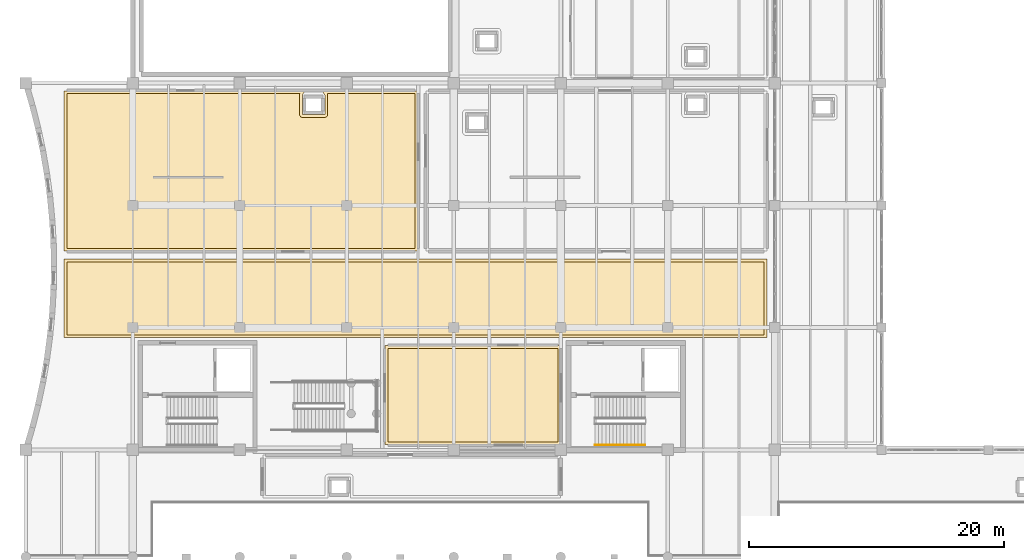
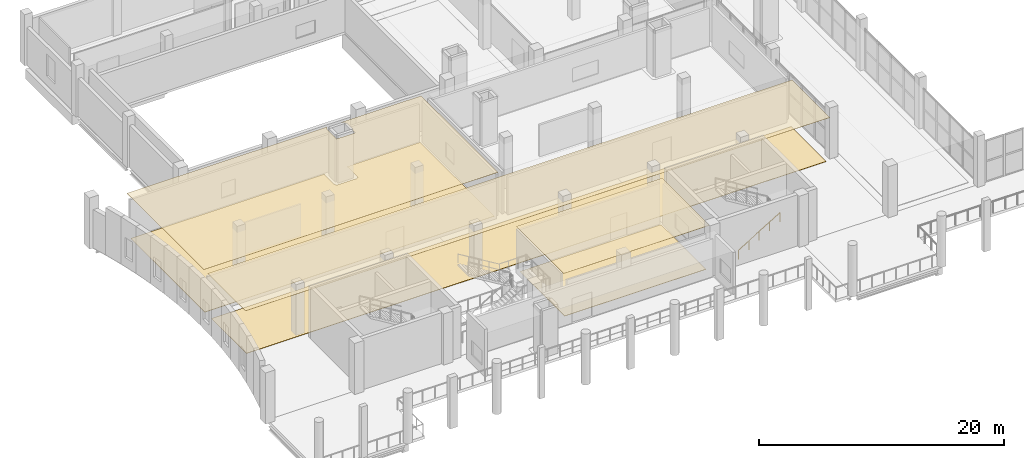
# One storey, part 57 of 66: 6 coverings, 1 railing.
"""IFC4 building model written with IfcOpenShell, lengths in metres."""

from ifc_helpers import new_model, si_unit, direction, frame, origin, origin_2d, place, context, subcontext, project, spatial, polyline, circle, outline, extrude, material, layer, layer_set, type_object, element, save


model = new_model("IFC4")

# Units and contexts
model_context = context("Model", 3, precision=1e-05, world=origin(), true_north=direction((0.0, 1.0)))
body_context = subcontext(model_context, "Body", "Model", "MODEL_VIEW")
ifc_project = project(units=[si_unit("LENGTHUNIT", "METRE"), si_unit("AREAUNIT", "SQUARE_METRE"), si_unit("VOLUMEUNIT", "CUBIC_METRE"), si_unit("PLANEANGLEUNIT", "RADIAN"), si_unit("MASSUNIT", "GRAM", prefix="KILO")], contexts=[model_context])

# Site, building, storey
site_placement = place(None, origin())
site = spatial("IfcSite", under=ifc_project, at=site_placement, CompositionType="ELEMENT")
building_placement = place(site_placement, origin())
building = spatial("IfcBuilding", under=site, at=building_placement, Name="Zulmaris Art Gallery", CompositionType="ELEMENT")
storey_placement = place(building_placement, frame((0.0, 0.0, 5.39990234375)))
storey = spatial("IfcBuildingStorey", under=building, at=storey_placement, Name="L01", CompositionType="ELEMENT", Elevation=5.39990234375)

# Coverings
ifc_material_1 = material(Name="Micro-Perforated Gypsum Acoustic Ceiling", Category="gypsum")
ifc_layer_1 = layer(ifc_material_1, 0.02490234375)
ifc_layer_set_1 = layer_set([ifc_layer_1], Name="Micro-Perforated Gypsum Acoustic Ceiling")
covering_type_1 = type_object("IfcCoveringType", Name="COV-CL01", PredefinedType="CEILING", material=ifc_layer_set_1)
covering_1_placement = place(storey_placement, frame((0.0, 0.0, 4.4501953125)))
element("IfcCovering", 1, at=covering_1_placement, inside=storey, type_object=covering_type_1, Name="Upper Foyer Gallery Concourse acoustic ceiling", PredefinedType="CEILING", context=body_context, shape_type="SweptSolid", body=[
    extrude(outline(polyline([(27.010009765625, 36.590087890625), (82.18994140625, 36.590087890625), (82.18994140625, 30.409912109375), (27.010009765625, 30.409912109375), (27.010009765625, 36.590087890625)])), origin(), (0.0, 0.0, 1.0), 0.02978515625),
])
ifc_material_2 = material(Name="Luminous UV-Diffusing Stretched Gallery Ceiling", Category="gypsum")
ifc_layer_2 = layer(ifc_material_2, 0.034912109375)
ifc_layer_set_2 = layer_set([ifc_layer_2], Name="Luminous UV-Diffusing Stretched Gallery Ceiling")
covering_type_2 = type_object("IfcCoveringType", Name="COV-CL02", PredefinedType="CEILING", material=ifc_layer_set_2)
covering_2_placement = place(storey_placement, frame((0.0, 0.0, 4.4501953125)))
element("IfcCovering", 2, at=covering_2_placement, inside=storey, type_object=covering_type_2, Name="Modern Gulf Painting Gallery acoustic ceiling", PredefinedType="CEILING", context=body_context, shape_type="SweptSolid", body=[
    extrude(outline(polyline([(52.2099609375, 29.7900390625), (65.989990234375, 29.7900390625), (65.989990234375, 22.010009765625), (52.2099609375, 22.010009765625), (52.2099609375, 29.7900390625)])), origin(), (0.0, 0.0, 1.0), 0.02978515625),
])
covering_3_placement = place(storey_placement, frame((0.0, 0.0, 4.4501953125)))
element("IfcCovering", 3, at=covering_3_placement, inside=storey, type_object=covering_type_2, Name="Calligraphy & Manuscript Gallery acoustic ceiling", PredefinedType="CEILING", context=body_context, shape_type="SweptSolid", body=[
    extrude(outline(polyline([(45.721435546875, 47.94140625), (45.722412109375, 47.938720703125), (45.723876953125, 47.93603515625), (45.725341796875, 47.93359375), (45.72705078125, 47.93115234375), (45.72900390625, 47.928955078125), (45.731201171875, 47.927001953125), (45.7333984375, 47.92529296875), (45.736083984375, 47.923828125), (45.738525390625, 47.922607421875), (45.741455078125, 47.92138671875), (45.744140625, 47.9208984375), (45.7470703125, 47.92041015625), (45.75537109375, 47.919921875), (47.444580078125, 47.919921875), (47.452880859375, 47.92041015625), (47.455810546875, 47.9208984375), (47.45849609375, 47.92138671875), (47.46142578125, 47.922607421875), (47.464111328125, 47.923828125), (47.466552734375, 47.92529296875), (47.468994140625, 47.927001953125), (47.470947265625, 47.928955078125), (47.472900390625, 47.93115234375), (47.474609375, 47.93359375), (47.476318359375, 47.93603515625), (47.4775390625, 47.938720703125), (47.478515625, 47.94140625), (47.479248046875, 47.944091796875), (47.4794921875, 47.947021484375), (47.47998046875, 47.955322265625), (47.47998046875, 49.444580078125), (47.4794921875, 49.452880859375), (47.479248046875, 49.455810546875), (47.478515625, 49.45849609375), (47.4775390625, 49.46142578125), (47.476318359375, 49.464111328125), (47.28076171875, 49.7900390625), (54.7900390625, 49.7900390625), (54.7900390625, 37.2099609375), (27.010009765625, 37.2099609375), (27.010009765625, 49.7900390625), (45.919189453125, 49.7900390625), (45.723876953125, 49.464111328125), (45.722412109375, 49.46142578125), (45.721435546875, 49.45849609375), (45.720703125, 49.455810546875), (45.720458984375, 49.452880859375), (45.719970703125, 49.444580078125), (45.719970703125, 47.955322265625), (45.720458984375, 47.947021484375), (45.720703125, 47.944091796875), (45.721435546875, 47.94140625)])), origin(), (0.0, 0.0, 1.0), 0.02978515625),
])
ifc_material_3 = material(Name="Honed Omani Limestone Terrazzo Flooring", Category="masonry")
ifc_layer_3 = layer(ifc_material_3, 0.0400390625)
ifc_layer_set_3 = layer_set([ifc_layer_3], Name="Honed Omani Limestone Terrazzo Flooring")
covering_type_3 = type_object("IfcCoveringType", Name="COV-FL01", PredefinedType="FLOORING", material=ifc_layer_set_3)
covering_4_placement = place(storey_placement, origin())
element("IfcCovering", 4, at=covering_4_placement, inside=storey, type_object=covering_type_3, Name="Upper Foyer Gallery Concourse finish flooring", PredefinedType="FLOORING", context=body_context, shape_type="SweptSolid", body=[
    extrude(outline(polyline([(81.969970703125, 30.6298828125), (27.22998046875, 30.6298828125), (27.22998046875, 36.3701171875), (81.969970703125, 36.3701171875), (81.969970703125, 30.6298828125)])), origin(), (0.0, 0.0, 1.0), 0.03515625),
])
ifc_material_4 = material(Name="Oiled European Oak Gallery Parquet Flooring", Category="timber")
ifc_layer_4 = layer(ifc_material_4, 0.030029296875)
ifc_layer_set_4 = layer_set([ifc_layer_4], Name="Oiled European Oak Gallery Parquet Flooring")
covering_type_4 = type_object("IfcCoveringType", Name="COV-FL02", PredefinedType="FLOORING", material=ifc_layer_set_4)
covering_5_placement = place(storey_placement, origin())
element("IfcCovering", 5, at=covering_5_placement, inside=storey, type_object=covering_type_4, Name="Modern Gulf Painting Gallery finish flooring", PredefinedType="FLOORING", context=body_context, shape_type="SweptSolid", body=[
    extrude(outline(polyline([(65.77001953125, 22.22998046875), (52.429931640625, 22.22998046875), (52.429931640625, 29.570068359375), (65.77001953125, 29.570068359375), (65.77001953125, 22.22998046875)])), origin(), (0.0, 0.0, 1.0), 0.03515625),
])
covering_6_placement = place(storey_placement, origin())
element("IfcCovering", 6, at=covering_6_placement, inside=storey, type_object=covering_type_4, Name="Calligraphy & Manuscript Gallery finish flooring", PredefinedType="FLOORING", context=body_context, shape_type="SweptSolid", body=[
    extrude(outline(polyline([(45.501220703125, 47.925537109375), (45.5048828125, 47.901123046875), (45.5107421875, 47.87744140625), (45.51904296875, 47.854248046875), (45.529541015625, 47.832275390625), (45.5419921875, 47.81103515625), (45.556640625, 47.79150390625), (45.5732421875, 47.773193359375), (45.59130859375, 47.756591796875), (45.611083984375, 47.7421875), (45.632080078125, 47.7294921875), (45.654296875, 47.718994140625), (45.677490234375, 47.710693359375), (45.701171875, 47.704833984375), (45.7255859375, 47.701171875), (45.75, 47.699951171875), (47.449951171875, 47.699951171875), (47.474609375, 47.701171875), (47.498779296875, 47.704833984375), (47.522705078125, 47.710693359375), (47.545654296875, 47.718994140625), (47.56787109375, 47.7294921875), (47.5888671875, 47.7421875), (47.608642578125, 47.756591796875), (47.626708984375, 47.773193359375), (47.643310546875, 47.79150390625), (47.657958984375, 47.81103515625), (47.67041015625, 47.832275390625), (47.680908203125, 47.854248046875), (47.689208984375, 47.87744140625), (47.6953125, 47.901123046875), (47.69873046875, 47.925537109375), (47.699951171875, 47.949951171875), (47.699951171875, 49.449951171875), (47.69873046875, 49.474609375), (47.6953125, 49.498779296875), (47.689208984375, 49.522705078125), (47.680908203125, 49.545654296875), (47.67041015625, 49.56787109375), (47.669189453125, 49.570068359375), (54.570068359375, 49.570068359375), (54.570068359375, 37.429931640625), (27.22998046875, 37.429931640625), (27.22998046875, 49.570068359375), (45.53076171875, 49.570068359375), (45.529541015625, 49.56787109375), (45.51904296875, 49.545654296875), (45.5107421875, 49.522705078125), (45.5048828125, 49.498779296875), (45.501220703125, 49.474609375), (45.5, 49.449951171875), (45.5, 47.949951171875), (45.501220703125, 47.925537109375)])), origin(), (0.0, 0.0, 1.0), 0.03515625),
])

# Railing
ifc_material_5 = material(Name="Brushed Bronze Handrail", Category="steel")
ifc_layer_5 = layer(ifc_material_5, 0.048095703125)
ifc_layer_set_5 = layer_set([ifc_layer_5], Name="Brushed Bronze Handrail")
railing_type = type_object("IfcRailingType", Name="RAIL-STHND", PredefinedType="HANDRAIL", material=ifc_layer_set_5)
railing_placement = place(storey_placement, frame((68.699951171875, 22.0, 0.170166015625)))
element("IfcRailing", 7, at=railing_placement, inside=storey, type_object=railing_type, Name="L01 ST2 stair handrail 1", PredefinedType="HANDRAIL", context=body_context, shape_type="SweptSolid", body=[
    extrude(circle(Radius=0.02392578125, at=origin_2d()), frame((0.0, 0.0, 0.8759765625), z_axis=(0.854808600491, 0.0, 0.518943403973), x_axis=(0.0, 1.0, 0.0)), (0.0, 0.0, 1.0), 4.5859375),
    extrude(circle(Radius=0.02099609375, at=origin_2d()), origin(), (0.0, 0.0, 1.0), 0.851806640625),
    extrude(circle(Radius=0.02099609375, at=origin_2d()), frame((0.97998046875, 0.0, 0.594970703125)), (0.0, 0.0, 1.0), 0.851806640625),
    extrude(circle(Radius=0.02099609375, at=origin_2d()), frame((1.9599609375, 0.0, 1.18994140625)), (0.0, 0.0, 1.0), 0.851806640625),
    extrude(circle(Radius=0.02099609375, at=origin_2d()), frame((2.940185546875, 0.0, 1.784912109375)), (0.0, 0.0, 1.0), 0.851806640625),
    extrude(circle(Radius=0.02099609375, at=origin_2d()), frame((3.920166015625, 0.0, 2.3798828125)), (0.0, 0.0, 1.0), 0.851806640625),
])

save(model, "model.ifc")
